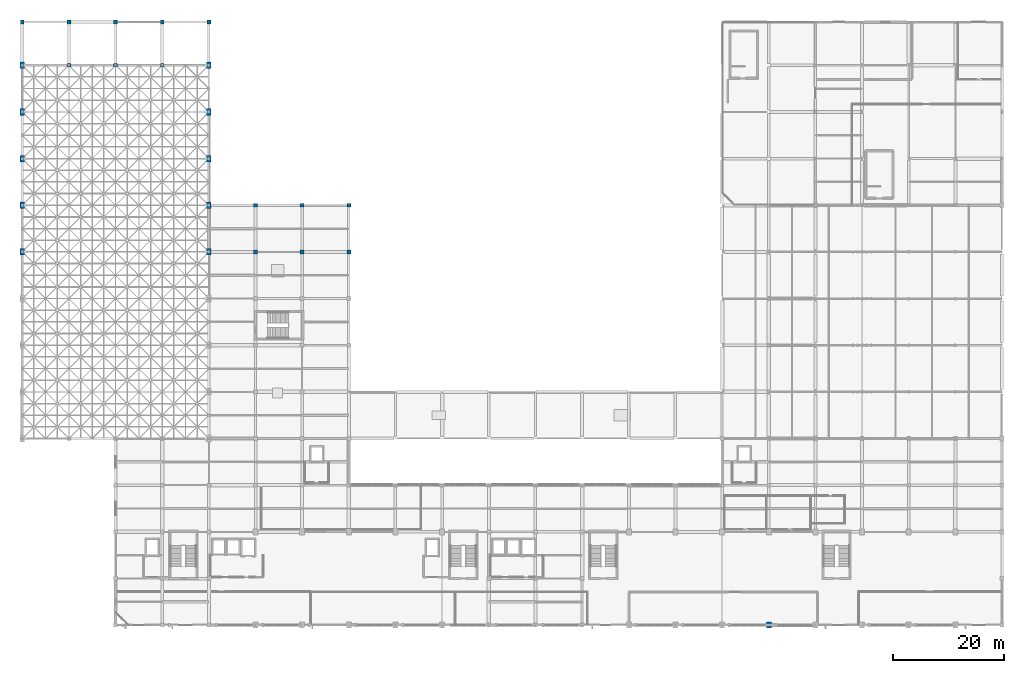
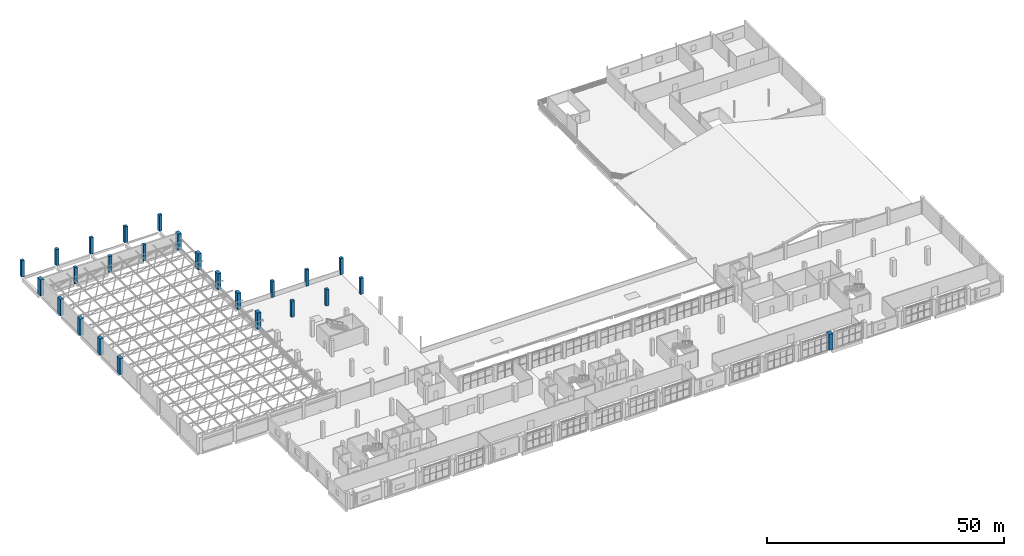
# One storey, part 4 of 64: 25 columns.
"""IFC4 building model written with IfcOpenShell, lengths in metres."""

from ifc_helpers import new_model, si_unit, derived_unit, direction, frame, origin, origin_2d, place, context, subcontext, project, spatial, rectangle, extrude, material, material_profile, profile_set, type_object, element, save


model = new_model("IFC4")

# Units and contexts
model_context = context("Model", 3, precision=1e-05, world=origin(), true_north=direction((0.0, 1.0)))
body_context = subcontext(model_context, "Body", "Model", "MODEL_VIEW")
ifc_project = project(units=[si_unit("LENGTHUNIT", "METRE"), si_unit("AREAUNIT", "SQUARE_METRE"), si_unit("VOLUMEUNIT", "CUBIC_METRE"), si_unit("PLANEANGLEUNIT", "RADIAN"), si_unit("MASSUNIT", "GRAM", prefix="KILO"), derived_unit("THERMALTRANSMITTANCEUNIT", [(si_unit("POWERUNIT", "WATT"), 1), (si_unit("LENGTHUNIT", "METRE"), -2), (si_unit("THERMODYNAMICTEMPERATUREUNIT", "KELVIN"), -1)])], contexts=[model_context])

# Site, building, storey
site_placement = place(None, origin())
site = spatial("IfcSite", under=ifc_project, at=site_placement, CompositionType="ELEMENT")
building_placement = place(site_placement, origin())
building = spatial("IfcBuilding", under=site, at=building_placement, Name="Barrovel Congress Hotel", CompositionType="ELEMENT")
storey_placement = place(building_placement, frame((0.0, 0.0, 14.10009765625)))
storey = spatial("IfcBuildingStorey", under=building, at=storey_placement, Name="L03", CompositionType="ELEMENT", Elevation=14.10009765625)

# Columns
ifc_material_1 = material(Name="Concrete C40", Category="concrete")
ifc_material_profile_1 = material_profile(ifc_material_1, rectangle(XDim=0.699951171875, YDim=0.699951171875, at=origin_2d()), Name="RC700x700")
ifc_profile_set_1 = profile_set([ifc_material_profile_1], Name="Concrete C40")
column_type_1 = type_object("IfcColumnType", Name="COL-RC700x700", PredefinedType="COLUMN", material=ifc_profile_set_1)
for number, where, z_axis, x_axis, name in (
    (1, (0.0, 112.800048828125, 0.0), (0.0, 0.0, 1.0), (1.0, 0.0, 0.0), "COL:L03:0.0:112.8"),
    (2, (8.39990234375, 105.0, 0.0), (0.0, 0.0, 1.0), (1.0, 0.0, 0.0), "COL:L03:8.4:105.0"),
    (3, (8.39990234375, 112.800048828125, 0.0), (0.0, 0.0, 1.0), (1.0, 0.0, 0.0), "COL:L03:8.4:112.8"),
    (4, (16.800048828125, 105.0, 0.0), (0.0, 0.0, 1.0), (1.0, 0.0, 0.0), "COL:L03:16.8:105.0"),
    (5, (16.800048828125, 112.800048828125, 0.0), (0.0, 0.0, 1.0), (1.0, 0.0, 0.0), "COL:L03:16.8:112.8"),
    (6, (25.199951171875, 105.0, 0.0), (0.0, 0.0, 1.0), (1.0, 0.0, 0.0), "COL:L03:25.2:105.0"),
    (7, (25.199951171875, 112.800048828125, 0.0), (0.0, 0.0, 1.0), (1.0, 0.0, 0.0), "COL:L03:25.2:112.8"),
    (8, (33.60009765625, 112.800048828125, 0.0), (0.0, 0.0, 1.0), (1.0, 0.0, 0.0), "COL:L03:33.6:112.8"),
    (9, (42.0, 71.39990234375, 0.0), (0.0, 0.0, 1.0), (1.0, 0.0, 0.0), "COL:L03:42.0:71.4"),
    (10, (42.0, 79.800048828125, 0.0), (0.0, 0.0, 1.0), (1.0, 0.0, 0.0), "COL:L03:42.0:79.8"),
    (11, (50.39990234375, 71.39990234375, 0.0), (0.0, 0.0, 1.0), (1.0, 0.0, 0.0), "COL:L03:50.4:71.4"),
    (12, (50.39990234375, 79.800048828125, 0.0), (0.0, 0.0, 1.0), (1.0, 0.0, 0.0), "COL:L03:50.4:79.8"),
    (13, (58.800048828125, 71.39990234375, 0.0), (0.0, 0.0, 1.0), (1.0, 0.0, 0.0), "COL:L03:58.8:71.4"),
    (14, (58.800048828125, 79.800048828125, 0.0), (0.0, 0.0, 1.0), (1.0, 0.0, 0.0), "COL:L03:58.8:79.8"),
):
    element("IfcColumn", number, at=place(storey_placement, frame(where, z_axis=z_axis, x_axis=x_axis)), inside=storey, type_object=column_type_1, Name=name, PredefinedType="COLUMN", context=body_context, shape_type="SweptSolid", body=[
        extrude(rectangle(XDim=0.699951171875, YDim=0.699951171875, at=origin_2d()), origin(), (0.0, 0.0, 1.0), 4.199951171875),
    ])
ifc_material_profile_2 = material_profile(ifc_material_1, rectangle(XDim=0.800048828125, YDim=1.199951171875, at=origin_2d()), Name="RC800x1200")
ifc_profile_set_2 = profile_set([ifc_material_profile_2], Name="Concrete C40")
column_type_2 = type_object("IfcColumnType", Name="COL-RC800x1200", PredefinedType="COLUMN", material=ifc_profile_set_2)
for number, where, z_axis, x_axis, name in (
    (15, (0.0, 71.39990234375, 0.0), (0.0, 0.0, 1.0), (1.0, 0.0, 0.0), "COL:L03:0.0:71.4"),
    (16, (0.0, 79.800048828125, 0.0), (0.0, 0.0, 1.0), (1.0, 0.0, 0.0), "COL:L03:0.0:79.8"),
    (17, (0.0, 88.199951171875, 0.0), (0.0, 0.0, 1.0), (1.0, 0.0, 0.0), "COL:L03:0.0:88.2"),
    (18, (0.0, 96.60009765625, 0.0), (0.0, 0.0, 1.0), (1.0, 0.0, 0.0), "COL:L03:0.0:96.6"),
    (19, (0.0, 105.0, 0.0), (0.0, 0.0, 1.0), (1.0, 0.0, 0.0), "COL:L03:0.0:105.0"),
    (20, (33.60009765625, 71.39990234375, 0.0), (0.0, 0.0, 1.0), (1.0, 0.0, 0.0), "COL:L03:33.6:71.4"),
    (21, (33.60009765625, 79.800048828125, 0.0), (0.0, 0.0, 1.0), (1.0, 0.0, 0.0), "COL:L03:33.6:79.8"),
    (22, (33.60009765625, 88.199951171875, 0.0), (0.0, 0.0, 1.0), (1.0, 0.0, 0.0), "COL:L03:33.6:88.2"),
    (23, (33.60009765625, 96.60009765625, 0.0), (0.0, 0.0, 1.0), (1.0, 0.0, 0.0), "COL:L03:33.6:96.6"),
    (24, (33.60009765625, 105.0, 0.0), (0.0, 0.0, 1.0), (1.0, 0.0, 0.0), "COL:L03:33.6:105.0"),
):
    element("IfcColumn", number, at=place(storey_placement, frame(where, z_axis=z_axis, x_axis=x_axis)), inside=storey, type_object=column_type_2, Name=name, PredefinedType="COLUMN", context=body_context, shape_type="SweptSolid", body=[
        extrude(rectangle(XDim=0.800048828125, YDim=1.199951171875, at=origin_2d()), origin(), (0.0, 0.0, 1.0), 4.199951171875),
    ])
ifc_material_2 = material(Name="Concrete C50", Category="concrete")
ifc_material_profile_3 = material_profile(ifc_material_2, rectangle(XDim=0.89990234375, YDim=1.10009765625, at=origin_2d()), Name="RC900x1100")
ifc_profile_set_3 = profile_set([ifc_material_profile_3], Name="Concrete C50")
column_type_3 = type_object("IfcColumnType", Name="COL-RC900x1100", PredefinedType="COLUMN", material=ifc_profile_set_3)
column_placement = place(storey_placement, frame((134.39990234375, 4.199951171875, 0.0), z_axis=(0.0, 0.0, 1.0), x_axis=(1.0, 0.0, 0.0)))
element("IfcColumn", 25, at=column_placement, inside=storey, type_object=column_type_3, Name="COL:L03:134.4:4.2", PredefinedType="COLUMN", context=body_context, shape_type="SweptSolid", body=[
    extrude(rectangle(XDim=0.89990234375, YDim=1.10009765625, at=origin_2d()), origin(), (0.0, 0.0, 1.0), 4.199951171875),
])

save(model, "model.ifc")
